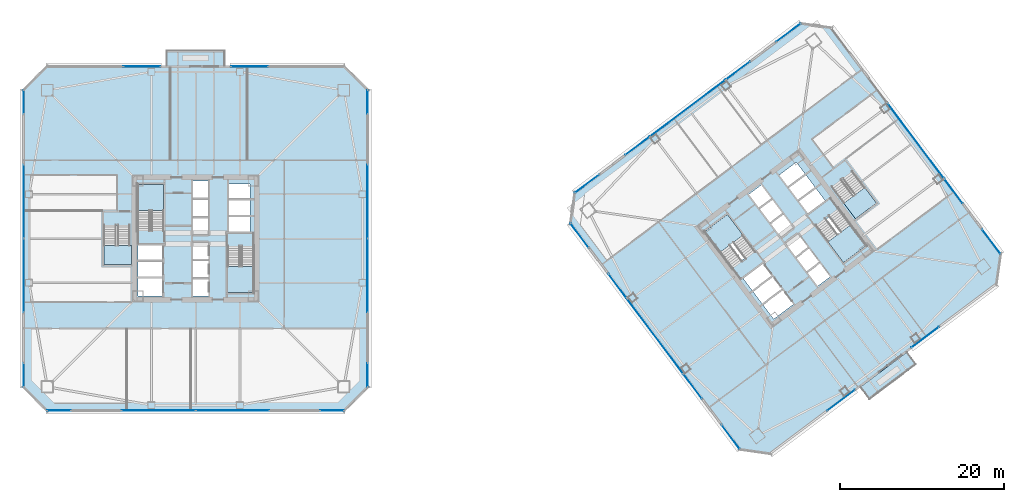
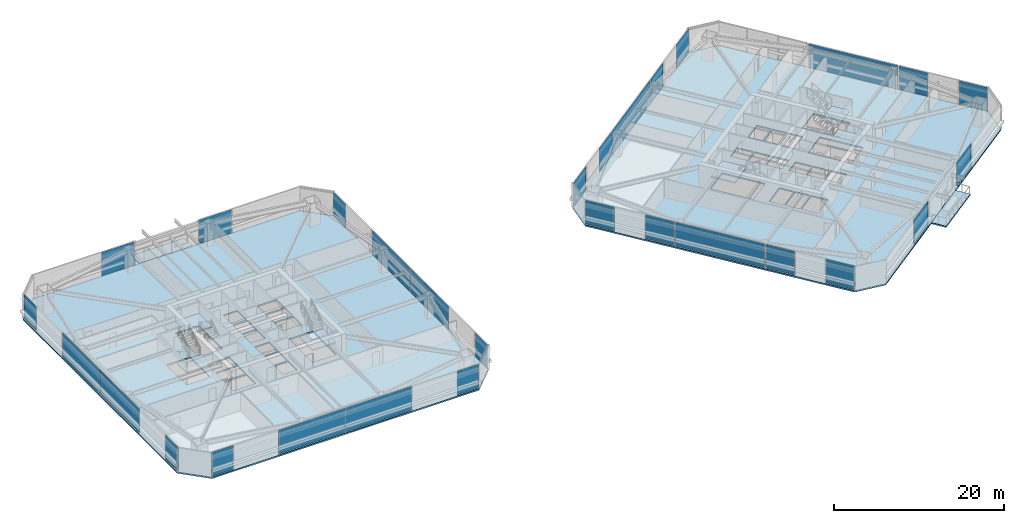
# One storey, part 36 of 48: 29 plates, 10 slabs, 32 elements without a shape of their own.
"""IFC4 building model written with IfcOpenShell, lengths in metres."""

import ifcopenshell
import ifcopenshell.guid

model = None  # the IFC model being written
_history = None  # IfcOwnerHistory: only IFC2X3 demands one
_inside = {}  # id of a spatial element -> (the spatial element, [elements in it])
_under = {}  # id of a project, library or spatial element -> (it, [spatial elements below it])
_declared = {}  # id of a project -> (the project, [libraries it declares])
_typed = {}  # id of a type object -> (the type object, [elements of that type])
_made_of = {}  # id of a material, layer set ... -> (it, [elements and type objects made of it])


def new_model(schema):
    """Start an empty IFC model of exactly this schema.

    Asked for "IFC4X3", IfcOpenShell would pick the latest addendum, in which some entities
    have other attributes; the version numbers below select the first issue.
    IFC2X3 requires an IfcOwnerHistory on every rooted entity: one is made here for all.
    """
    global model, _history
    if schema == "IFC4X3":
        model = ifcopenshell.file(schema_version=(4, 3, 0, 0))
    else:
        model = ifcopenshell.file(schema=schema)
    _inside.clear()
    _under.clear()
    _declared.clear()
    _typed.clear()
    _made_of.clear()
    _history = None
    if model.schema == "IFC2X3":
        org = make("IfcOrganization", Name="unknown")
        user = make(
            "IfcPersonAndOrganization",
            ThePerson=make("IfcPerson", FamilyName="unknown"),
            TheOrganization=org,
        )
        app = make(
            "IfcApplication",
            ApplicationDeveloper=org,
            Version="unknown",
            ApplicationFullName="unknown",
            ApplicationIdentifier="unknown",
        )
        _history = make(
            "IfcOwnerHistory",
            OwningUser=user,
            OwningApplication=app,
            ChangeAction="ADDED",
            CreationDate=0,
        )
    return model


def make(cls, **values):
    """One entity of the class cls with the attributes given. An attribute that is None is left unset."""
    return model.create_entity(
        cls, **{name: value for name, value in values.items() if value is not None}
    )


def rooted(cls, **values):
    """An entity with a GlobalId (a new one), such as an element, a storey or a relation."""
    return make(cls, GlobalId=ifcopenshell.guid.new(), OwnerHistory=_history, **values)


def si_unit(unit_type, name, prefix=None):
    """IfcSIUnit, for example si_unit("LENGTHUNIT", "METRE", prefix="MILLI")."""
    return make("IfcSIUnit", UnitType=unit_type, Prefix=prefix, Name=name)


def assignment(units):
    """IfcUnitAssignment: the units of a project."""
    return None if units is None else make("IfcUnitAssignment", Units=units)


def point(xyz):
    """IfcCartesianPoint."""
    return None if xyz is None else make("IfcCartesianPoint", Coordinates=xyz)


def direction(xyz):
    """IfcDirection."""
    return None if xyz is None else make("IfcDirection", DirectionRatios=xyz)


def frame(location, z_axis=None, x_axis=None):
    """IfcAxis2Placement3D, a coordinate frame: its origin and axes. An axis left out is left unset."""
    return make(
        "IfcAxis2Placement3D",
        Location=point(location),
        Axis=direction(z_axis),
        RefDirection=direction(x_axis),
    )


def frame_2d(location, x_axis=None):
    """IfcAxis2Placement2D, a coordinate frame in the plane: its origin and x axis."""
    return make(
        "IfcAxis2Placement2D", Location=point(location), RefDirection=direction(x_axis)
    )


def origin():
    """The frame at (0, 0, 0) with its axes left unset."""
    return frame((0.0, 0.0, 0.0))


def origin_2d():
    """The frame at (0, 0) in the plane with its x axis left unset."""
    return frame_2d((0.0, 0.0))


def place(relative_to, where):
    """IfcLocalPlacement: puts the frame where relative to a parent placement (None: the world)."""
    return make(
        "IfcLocalPlacement", PlacementRelTo=relative_to, RelativePlacement=where
    )


def context(
    kind, dimensions, precision=None, world=None, true_north=None, identifier=None
):
    """IfcGeometricRepresentationContext, for example the 3D "Model" context."""
    return make(
        "IfcGeometricRepresentationContext",
        ContextIdentifier=identifier,
        ContextType=kind,
        CoordinateSpaceDimension=dimensions,
        Precision=precision,
        WorldCoordinateSystem=world,
        TrueNorth=true_north,
    )


def subcontext(parent, identifier, kind, view, scale=None):
    """IfcGeometricRepresentationSubContext, for example "Body" below "Model"."""
    return make(
        "IfcGeometricRepresentationSubContext",
        ContextIdentifier=identifier,
        ContextType=kind,
        ParentContext=parent,
        TargetScale=scale,
        TargetView=view,
    )


def project(units=None, contexts=None):
    """IfcProject with its units and contexts."""
    return rooted(
        "IfcProject",
        Name="project",
        RepresentationContexts=contexts,
        UnitsInContext=assignment(units),
    )


def spatial(cls, under=None, at=None, **own):
    """A site, building, storey or space (cls), placed at a placement, below another one or the project."""
    s = rooted(cls, ObjectPlacement=at, **own)
    if under is not None:
        _under.setdefault(under.id(), (under, []))[1].append(s)
    return s


def polyline(points):
    """IfcPolyline through the points."""
    return make("IfcPolyline", Points=[point(p) for p in points])


def profile(cls, at=None, kind="AREA", **sizes):
    """A parametric profile (cls). Its sizes go by their IFC names, for example OverallWidth=200.0."""
    return make(cls, ProfileType=kind, Position=at, **sizes)


def rectangle(**sizes):
    """IfcRectangleProfileDef."""
    return profile("IfcRectangleProfileDef", **sizes)


def outline(outer, holes=None, kind="AREA"):
    """IfcArbitraryClosedProfileDef: a profile drawn as a closed curve; with holes, ...WithVoids."""
    if holes is None:
        return make("IfcArbitraryClosedProfileDef", ProfileType=kind, OuterCurve=outer)
    return make(
        "IfcArbitraryProfileDefWithVoids",
        ProfileType=kind,
        OuterCurve=outer,
        InnerCurves=holes,
    )


def extrude(swept, where, along, depth):
    """IfcExtrudedAreaSolid: the profile swept, set in the frame where, extruded along a direction by depth."""
    return make(
        "IfcExtrudedAreaSolid",
        SweptArea=swept,
        Position=where,
        ExtrudedDirection=direction(along),
        Depth=depth,
    )


def shape(context_of_items, identifier, shape_type, items):
    """IfcShapeRepresentation: the items that make up one representation, for example the "Body"."""
    return make(
        "IfcShapeRepresentation",
        ContextOfItems=context_of_items,
        RepresentationIdentifier=identifier,
        RepresentationType=shape_type,
        Items=items,
    )


def material(Name=None, Category=None):
    """IfcMaterial."""
    return make("IfcMaterial", Name=Name, Category=Category)


def layer(
    of_material, thickness, ventilated=None, Name=None, Category=None, Priority=None
):
    """IfcMaterialLayer: one layer of a wall or slab, of a material (None: an air gap)."""
    return make(
        "IfcMaterialLayer",
        Material=of_material,
        LayerThickness=thickness,
        IsVentilated=ventilated,
        Name=Name,
        Category=Category,
        Priority=Priority,
    )


def layer_set(layers, Name=None):
    """IfcMaterialLayerSet."""
    return make("IfcMaterialLayerSet", MaterialLayers=layers, LayerSetName=Name)


def made_of(thing, what):
    """Note that an element or type object is made of a material, layer set ...; save() writes the relation."""
    if what is not None:
        _made_of.setdefault(what.id(), (what, []))[1].append(thing)
    return thing


def type_object(cls, material=None, **own):
    """A type object (cls), such as IfcWallType, which elements share."""
    return made_of(rooted(cls, **own), material)


def element(
    cls,
    number,
    at=None,
    inside=None,
    cuts=None,
    type_object=None,
    material=None,
    context=None,
    identifier="Body",
    shape_type=None,
    held_by="IfcProductDefinitionShape",
    body=None,
    shapes=None,
    **own,
):
    """One element of the class cls, such as IfcWall. Its Tag is "e" and its number.

    at: its placement. inside: the storey or other place that contains it. cuts: it is an
    opening in that element (IfcRelVoidsElement). A single representation is given by context,
    identifier, shape_type and body (its items); several are given by shapes. held_by: the class
    of the entity that holds the representations. save() writes the other relations.
    """
    e = rooted(cls, Tag="e%d" % number, ObjectPlacement=at, **own)
    if body is not None:
        shapes = [shape(context, identifier, shape_type, body)]
    if shapes is not None:
        e.Representation = make(held_by, Representations=shapes)
    if inside is not None:
        _inside.setdefault(inside.id(), (inside, []))[1].append(e)
    if cuts is not None:
        rooted(
            "IfcRelVoidsElement", RelatingBuildingElement=cuts, RelatedOpeningElement=e
        )
    if type_object is not None:
        _typed.setdefault(type_object.id(), (type_object, []))[1].append(e)
    return made_of(e, material)


def aggregate(whole, parts):
    """IfcRelAggregates: a whole, such as a stair, and the parts it consists of."""
    return rooted("IfcRelAggregates", RelatingObject=whole, RelatedObjects=parts)


def save(model, path):
    """Write the relations noted so far, then the file.

    IfcRelAggregates (storeys below a building ...), IfcRelContainedInSpatialStructure (elements
    in a storey), IfcRelDefinesByType, IfcRelAssociatesMaterial and IfcRelDeclares: one each for
    every whole, place, type object, material and project.
    """
    for whole, parts in _under.values():
        aggregate(whole, parts)
    for where, things in _inside.values():
        rooted(
            "IfcRelContainedInSpatialStructure",
            RelatedElements=things,
            RelatingStructure=where,
        )
    for kind, things in _typed.values():
        rooted("IfcRelDefinesByType", RelatedObjects=things, RelatingType=kind)
    for what, things in _made_of.values():
        rooted("IfcRelAssociatesMaterial", RelatedObjects=things, RelatingMaterial=what)
    for by, libraries in _declared.values():
        rooted("IfcRelDeclares", RelatingContext=by, RelatedDefinitions=libraries)
    model.write(path)


model = new_model("IFC4")

# Units and contexts
model_context = context("Model", 3, precision=1e-05, world=origin(), true_north=direction((0.0, 1.0)))
body_context = subcontext(model_context, "Body", "Model", "MODEL_VIEW")
ifc_project = project(units=[si_unit("LENGTHUNIT", "METRE"), si_unit("AREAUNIT", "SQUARE_METRE"), si_unit("VOLUMEUNIT", "CUBIC_METRE"), si_unit("PLANEANGLEUNIT", "RADIAN"), si_unit("MASSUNIT", "GRAM", prefix="KILO")], contexts=[model_context])

# Site, building, storey
site_placement = place(None, origin())
site = spatial("IfcSite", under=ifc_project, at=site_placement, CompositionType="ELEMENT")
building_placement = place(site_placement, origin())
building = spatial("IfcBuilding", under=site, at=building_placement, Name="Tashvorn Skyway Center", CompositionType="ELEMENT")
storey_placement = place(building_placement, frame((0.0, 0.0, 77.85009765625)))
storey = spatial("IfcBuildingStorey", under=building, at=storey_placement, Name="L20", CompositionType="ELEMENT", Elevation=77.85009765625)

# Curtain wall, plate
ifc_material_1 = material(Name="Thermally broken bronze-anodized aluminium 6063-T6", Category="aluminium")
curtain_wall_type = type_object("IfcCurtainWallType", Name="CW-CW-Z2", PredefinedType="NOTDEFINED", material=ifc_material_1)
curtain_wall_1_placement = place(storey_placement, origin())
curtain_wall_1 = element("IfcCurtainWall", 1, at=curtain_wall_1_placement, inside=storey, type_object=curtain_wall_type, Name="Tower 1 L20 South Unitised Curtain Wall Glazing Group 1", PredefinedType="NOTDEFINED")
ifc_material_2 = material(Name="Low-E solar-control double insulating safety glass", Category="glass")
ifc_layer_1 = layer(ifc_material_2, 0.0439453125)
ifc_layer_set_1 = layer_set([ifc_layer_1], Name="Low-E solar-control double insulating safety glass")
plate_type = type_object("IfcPlateType", Name="CWP-CW-Z2", PredefinedType="CURTAIN_PANEL", material=ifc_layer_set_1)
plate_1_placement = place(storey_placement, frame((58.6650390625, 11.02001953125, 0.080078125), z_axis=(0.0, 0.0, 1.0), x_axis=(-1.0, 0.0, 0.0)))
plate_1 = element("IfcPlate", 2, at=plate_1_placement, type_object=plate_type, Name="CW-Z2 panel 1.1", PredefinedType="CURTAIN_PANEL", context=body_context, shape_type="SweptSolid", body=[
    extrude(rectangle(XDim=2.8701171875, YDim=0.0439453125, at=origin_2d()), origin(), (0.0, 0.0, 1.0), 3.389892578125),
])
aggregate(curtain_wall_1, [plate_1])

# Curtain wall, plates
curtain_wall_2_placement = place(storey_placement, origin())
curtain_wall_2 = element("IfcCurtainWall", 3, at=curtain_wall_2_placement, inside=storey, type_object=curtain_wall_type, Name="Tower 1 L20 South Unitised Curtain Wall Glazing Group 2", PredefinedType="NOTDEFINED")
plate_2_placement = place(storey_placement, frame((46.52490234375, 11.02001953125, 0.080078125), z_axis=(0.0, 0.0, 1.0), x_axis=(-1.0, 0.0, 0.0)))
plate_2 = element("IfcPlate", 4, at=plate_2_placement, type_object=plate_type, Name="CW-Z2 panel 1.1", PredefinedType="CURTAIN_PANEL", context=body_context, shape_type="SweptSolid", body=[
    extrude(rectangle(XDim=8.969970703125, YDim=0.0439453125, at=origin_2d()), origin(), (0.0, 0.0, 1.0), 3.389892578125),
])
plate_3_placement = place(storey_placement, frame((37.47509765625, 11.02001953125, 0.080078125), z_axis=(0.0, 0.0, 1.0), x_axis=(-1.0, 0.0, 0.0)))
plate_3 = element("IfcPlate", 5, at=plate_3_placement, type_object=plate_type, Name="CW-Z2 panel 2.1", PredefinedType="CURTAIN_PANEL", context=body_context, shape_type="SweptSolid", body=[
    extrude(rectangle(XDim=8.969970703125, YDim=0.0439453125, at=origin_2d()), origin(), (0.0, 0.0, 1.0), 3.389892578125),
])
aggregate(curtain_wall_2, [plate_2, plate_3])

# Curtain wall, plate
curtain_wall_3_placement = place(storey_placement, origin())
curtain_wall_3 = element("IfcCurtainWall", 6, at=curtain_wall_3_placement, inside=storey, type_object=curtain_wall_type, Name="Tower 1 L20 South Unitised Curtain Wall Glazing Group 3", PredefinedType="NOTDEFINED")
plate_4_placement = place(storey_placement, frame((25.3349609375, 11.02001953125, 0.080078125), z_axis=(0.0, 0.0, 1.0), x_axis=(-1.0, 0.0, 0.0)))
plate_4 = element("IfcPlate", 7, at=plate_4_placement, type_object=plate_type, Name="CW-Z2 panel 1.1", PredefinedType="CURTAIN_PANEL", context=body_context, shape_type="SweptSolid", body=[
    extrude(rectangle(XDim=2.8701171875, YDim=0.0439453125, at=origin_2d()), origin(), (0.0, 0.0, 1.0), 3.389892578125),
])
aggregate(curtain_wall_3, [plate_4])

curtain_wall_4_placement = place(storey_placement, origin())
curtain_wall_4 = element("IfcCurtainWall", 8, at=curtain_wall_4_placement, inside=storey, type_object=curtain_wall_type, Name="Tower 1 L20 West Unitised Curtain Wall Glazing Group 1", PredefinedType="NOTDEFINED")
plate_5_placement = place(storey_placement, frame((21.02001953125, 15.3349609375, 0.080078125), z_axis=(0.0, 0.0, 1.0), x_axis=(0.0, 1.0, 0.0)))
plate_5 = element("IfcPlate", 9, at=plate_5_placement, type_object=plate_type, Name="CW-Z2 panel 1.1", PredefinedType="CURTAIN_PANEL", context=body_context, shape_type="SweptSolid", body=[
    extrude(rectangle(XDim=2.8701171875, YDim=0.0439453125, at=origin_2d()), origin(), (0.0, 0.0, 1.0), 3.389892578125),
])
aggregate(curtain_wall_4, [plate_5])

# Curtain wall, plates
curtain_wall_5_placement = place(storey_placement, origin())
curtain_wall_5 = element("IfcCurtainWall", 10, at=curtain_wall_5_placement, inside=storey, type_object=curtain_wall_type, Name="Tower 1 L20 West Unitised Curtain Wall Glazing Group 2", PredefinedType="NOTDEFINED")
plate_6_placement = place(storey_placement, frame((21.02001953125, 27.47509765625, 0.080078125), z_axis=(0.0, 0.0, 1.0), x_axis=(0.0, 1.0, 0.0)))
plate_6 = element("IfcPlate", 11, at=plate_6_placement, type_object=plate_type, Name="CW-Z2 panel 1.1", PredefinedType="CURTAIN_PANEL", context=body_context, shape_type="SweptSolid", body=[
    extrude(rectangle(XDim=8.969970703125, YDim=0.0439453125, at=origin_2d()), origin(), (0.0, 0.0, 1.0), 3.389892578125),
])
plate_7_placement = place(storey_placement, frame((21.02001953125, 36.52490234375, 0.080078125), z_axis=(0.0, 0.0, 1.0), x_axis=(0.0, 1.0, 0.0)))
plate_7 = element("IfcPlate", 12, at=plate_7_placement, type_object=plate_type, Name="CW-Z2 panel 2.1", PredefinedType="CURTAIN_PANEL", context=body_context, shape_type="SweptSolid", body=[
    extrude(rectangle(XDim=8.969970703125, YDim=0.0439453125, at=origin_2d()), origin(), (0.0, 0.0, 1.0), 3.389892578125),
])
aggregate(curtain_wall_5, [plate_6, plate_7])

# Curtain wall, plate
curtain_wall_6_placement = place(storey_placement, origin())
curtain_wall_6 = element("IfcCurtainWall", 13, at=curtain_wall_6_placement, inside=storey, type_object=curtain_wall_type, Name="Tower 1 L20 West Unitised Curtain Wall Glazing Group 3", PredefinedType="NOTDEFINED")
plate_8_placement = place(storey_placement, frame((21.02001953125, 48.6650390625, 0.080078125), z_axis=(0.0, 0.0, 1.0), x_axis=(0.0, 1.0, 0.0)))
plate_8 = element("IfcPlate", 14, at=plate_8_placement, type_object=plate_type, Name="CW-Z2 panel 1.1", PredefinedType="CURTAIN_PANEL", context=body_context, shape_type="SweptSolid", body=[
    extrude(rectangle(XDim=2.8701171875, YDim=0.0439453125, at=origin_2d()), origin(), (0.0, 0.0, 1.0), 3.389892578125),
])
aggregate(curtain_wall_6, [plate_8])

curtain_wall_7_placement = place(storey_placement, origin())
curtain_wall_7 = element("IfcCurtainWall", 15, at=curtain_wall_7_placement, inside=storey, type_object=curtain_wall_type, Name="Tower 1 L20 North Curtain Wall L Glazing Group 1", PredefinedType="NOTDEFINED")
plate_9_placement = place(storey_placement, frame((35.428466796875, 52.97998046875, 0.080078125), z_axis=(0.0, 0.0, 1.0), x_axis=(1.0, 0.0, 0.0)))
plate_9 = element("IfcPlate", 16, at=plate_9_placement, type_object=plate_type, Name="CW-Z2 panel 1.1", PredefinedType="CURTAIN_PANEL", context=body_context, shape_type="SweptSolid", body=[
    extrude(rectangle(XDim=4.4833984375, YDim=0.0439453125, at=origin_2d()), origin(), (0.0, 0.0, 1.0), 3.389892578125),
])
aggregate(curtain_wall_7, [plate_9])

curtain_wall_8_placement = place(storey_placement, origin())
curtain_wall_8 = element("IfcCurtainWall", 17, at=curtain_wall_8_placement, inside=storey, type_object=curtain_wall_type, Name="Tower 1 L20 North Curtain Wall R Glazing Group 1", PredefinedType="NOTDEFINED")
plate_10_placement = place(storey_placement, frame((48.571533203125, 52.97998046875, 0.080078125), z_axis=(0.0, 0.0, 1.0), x_axis=(1.0, 0.0, 0.0)))
plate_10 = element("IfcPlate", 18, at=plate_10_placement, type_object=plate_type, Name="CW-Z2 panel 1.1", PredefinedType="CURTAIN_PANEL", context=body_context, shape_type="SweptSolid", body=[
    extrude(rectangle(XDim=4.4833984375, YDim=0.0439453125, at=origin_2d()), origin(), (0.0, 0.0, 1.0), 3.389892578125),
])
aggregate(curtain_wall_8, [plate_10])

curtain_wall_9_placement = place(storey_placement, origin())
curtain_wall_9 = element("IfcCurtainWall", 19, at=curtain_wall_9_placement, inside=storey, type_object=curtain_wall_type, Name="Tower 1 L20 East Unitised Curtain Wall Glazing Group 1", PredefinedType="NOTDEFINED")
plate_11_placement = place(storey_placement, frame((62.97998046875, 48.6650390625, 0.080078125), z_axis=(0.0, 0.0, 1.0), x_axis=(0.0, -1.0, 0.0)))
plate_11 = element("IfcPlate", 20, at=plate_11_placement, type_object=plate_type, Name="CW-Z2 panel 1.1", PredefinedType="CURTAIN_PANEL", context=body_context, shape_type="SweptSolid", body=[
    extrude(rectangle(XDim=2.8701171875, YDim=0.0439453125, at=origin_2d()), origin(), (0.0, 0.0, 1.0), 3.389892578125),
])
aggregate(curtain_wall_9, [plate_11])

# Curtain wall, plates
curtain_wall_10_placement = place(storey_placement, origin())
curtain_wall_10 = element("IfcCurtainWall", 21, at=curtain_wall_10_placement, inside=storey, type_object=curtain_wall_type, Name="Tower 1 L20 East Unitised Curtain Wall Glazing Group 2", PredefinedType="NOTDEFINED")
plate_12_placement = place(storey_placement, frame((62.97998046875, 36.52490234375, 0.080078125), z_axis=(0.0, 0.0, 1.0), x_axis=(0.0, -1.0, 0.0)))
plate_12 = element("IfcPlate", 22, at=plate_12_placement, type_object=plate_type, Name="CW-Z2 panel 1.1", PredefinedType="CURTAIN_PANEL", context=body_context, shape_type="SweptSolid", body=[
    extrude(rectangle(XDim=8.969970703125, YDim=0.0439453125, at=origin_2d()), origin(), (0.0, 0.0, 1.0), 3.389892578125),
])
plate_13_placement = place(storey_placement, frame((62.97998046875, 27.47509765625, 0.080078125), z_axis=(0.0, 0.0, 1.0), x_axis=(0.0, -1.0, 0.0)))
plate_13 = element("IfcPlate", 23, at=plate_13_placement, type_object=plate_type, Name="CW-Z2 panel 2.1", PredefinedType="CURTAIN_PANEL", context=body_context, shape_type="SweptSolid", body=[
    extrude(rectangle(XDim=8.969970703125, YDim=0.0439453125, at=origin_2d()), origin(), (0.0, 0.0, 1.0), 3.389892578125),
])
aggregate(curtain_wall_10, [plate_12, plate_13])

# Curtain wall, plate
curtain_wall_11_placement = place(storey_placement, origin())
curtain_wall_11 = element("IfcCurtainWall", 24, at=curtain_wall_11_placement, inside=storey, type_object=curtain_wall_type, Name="Tower 1 L20 East Unitised Curtain Wall Glazing Group 3", PredefinedType="NOTDEFINED")
plate_14_placement = place(storey_placement, frame((62.97998046875, 15.3349609375, 0.080078125), z_axis=(0.0, 0.0, 1.0), x_axis=(0.0, -1.0, 0.0)))
plate_14 = element("IfcPlate", 25, at=plate_14_placement, type_object=plate_type, Name="CW-Z2 panel 1.1", PredefinedType="CURTAIN_PANEL", context=body_context, shape_type="SweptSolid", body=[
    extrude(rectangle(XDim=2.8701171875, YDim=0.0439453125, at=origin_2d()), origin(), (0.0, 0.0, 1.0), 3.389892578125),
])
aggregate(curtain_wall_11, [plate_14])

curtain_wall_12_placement = place(storey_placement, origin())
curtain_wall_12 = element("IfcCurtainWall", 26, at=curtain_wall_12_placement, inside=storey, type_object=curtain_wall_type, Name="Tower 2 L20 South Curtain Wall L Glazing Group 1", PredefinedType="NOTDEFINED")
plate_15_placement = place(storey_placement, frame((131.0654296875, 19.948974609375, 0.080078125), z_axis=(0.0, 0.0, 1.0), x_axis=(-0.800002762832, -0.599996316206, 0.0)))
plate_15 = element("IfcPlate", 27, at=plate_15_placement, type_object=plate_type, Name="CW-Z2 panel 1.1", PredefinedType="CURTAIN_PANEL", context=body_context, shape_type="SweptSolid", body=[
    extrude(rectangle(XDim=4.183349609375, YDim=0.0439453125, at=origin_2d()), origin(), (0.0, 0.0, 1.0), 3.389892578125),
])
aggregate(curtain_wall_12, [plate_15])

curtain_wall_13_placement = place(storey_placement, origin())
curtain_wall_13 = element("IfcCurtainWall", 28, at=curtain_wall_13_placement, inside=storey, type_object=curtain_wall_type, Name="Tower 2 L20 South Curtain Wall R Glazing Group 1", PredefinedType="NOTDEFINED")
plate_16_placement = place(storey_placement, frame((120.790771484375, 12.242919921875, 0.080078125), z_axis=(0.0, 0.0, 1.0), x_axis=(-0.800002762832, -0.599996316206, 0.0)))
plate_16 = element("IfcPlate", 29, at=plate_16_placement, type_object=plate_type, Name="CW-Z2 panel 1.1", PredefinedType="CURTAIN_PANEL", context=body_context, shape_type="SweptSolid", body=[
    extrude(rectangle(XDim=4.183349609375, YDim=0.0439453125, at=origin_2d()), origin(), (0.0, 0.0, 1.0), 3.389892578125),
])
aggregate(curtain_wall_13, [plate_16])

curtain_wall_14_placement = place(storey_placement, origin())
curtain_wall_14 = element("IfcCurtainWall", 30, at=curtain_wall_14_placement, inside=storey, type_object=curtain_wall_type, Name="Tower 2 L20 West Unitised Curtain Wall Glazing Group 1", PredefinedType="NOTDEFINED")
plate_17_placement = place(storey_placement, frame((107.31201171875, 7.783935546875, 0.080078125), z_axis=(0.0, 0.0, 1.0), x_axis=(-0.600000000002, 0.799999999998, 0.0)))
plate_17 = element("IfcPlate", 31, at=plate_17_placement, type_object=plate_type, Name="CW-Z2 panel 1.1", PredefinedType="CURTAIN_PANEL", context=body_context, shape_type="SweptSolid", body=[
    extrude(rectangle(XDim=3.679931640625, YDim=0.0439453125, at=origin_2d()), origin(), (0.0, 0.0, 1.0), 3.389892578125),
])
aggregate(curtain_wall_14, [plate_17])

curtain_wall_15_placement = place(storey_placement, origin())
curtain_wall_15 = element("IfcCurtainWall", 32, at=curtain_wall_15_placement, inside=storey, type_object=curtain_wall_type, Name="Tower 2 L20 West Unitised Curtain Wall Glazing Group 2", PredefinedType="NOTDEFINED")
plate_18_placement = place(storey_placement, frame((102.7041015625, 13.927978515625, 0.080078125), z_axis=(0.0, 0.0, 1.0), x_axis=(-0.600000000002, 0.799999999998, 0.0)))
plate_18 = element("IfcPlate", 33, at=plate_18_placement, type_object=plate_type, Name="CW-Z2 panel 1.1", PredefinedType="CURTAIN_PANEL", context=body_context, shape_type="SweptSolid", body=[
    extrude(rectangle(XDim=3.679931640625, YDim=0.0439453125, at=origin_2d()), origin(), (0.0, 0.0, 1.0), 3.389892578125),
])
aggregate(curtain_wall_15, [plate_18])

curtain_wall_16_placement = place(storey_placement, origin())
curtain_wall_16 = element("IfcCurtainWall", 34, at=curtain_wall_16_placement, inside=storey, type_object=curtain_wall_type, Name="Tower 2 L20 West Unitised Curtain Wall Glazing Group 3", PredefinedType="NOTDEFINED")
plate_19_placement = place(storey_placement, frame((98.095947265625, 20.072021484375, 0.080078125), z_axis=(0.0, 0.0, 1.0), x_axis=(-0.600000000002, 0.799999999998, 0.0)))
plate_19 = element("IfcPlate", 35, at=plate_19_placement, type_object=plate_type, Name="CW-Z2 panel 1.1", PredefinedType="CURTAIN_PANEL", context=body_context, shape_type="SweptSolid", body=[
    extrude(rectangle(XDim=11.360107421875, YDim=0.0439453125, at=origin_2d()), origin(), (0.0, 0.0, 1.0), 3.389892578125),
])
aggregate(curtain_wall_16, [plate_19])

curtain_wall_17_placement = place(storey_placement, origin())
curtain_wall_17 = element("IfcCurtainWall", 36, at=curtain_wall_17_placement, inside=storey, type_object=curtain_wall_type, Name="Tower 2 L20 West Unitised Curtain Wall Glazing Group 4", PredefinedType="NOTDEFINED")
plate_20_placement = place(storey_placement, frame((93.488037109375, 26.216064453125, 0.080078125), z_axis=(0.0, 0.0, 1.0), x_axis=(-0.600000000002, 0.799999999998, 0.0)))
plate_20 = element("IfcPlate", 37, at=plate_20_placement, type_object=plate_type, Name="CW-Z2 panel 1.1", PredefinedType="CURTAIN_PANEL", context=body_context, shape_type="SweptSolid", body=[
    extrude(rectangle(XDim=3.679931640625, YDim=0.0439453125, at=origin_2d()), origin(), (0.0, 0.0, 1.0), 3.389892578125),
])
aggregate(curtain_wall_17, [plate_20])

curtain_wall_18_placement = place(storey_placement, origin())
curtain_wall_18 = element("IfcCurtainWall", 38, at=curtain_wall_18_placement, inside=storey, type_object=curtain_wall_type, Name="Tower 2 L20 West Unitised Curtain Wall Glazing Group 5", PredefinedType="NOTDEFINED")
plate_21_placement = place(storey_placement, frame((88.8798828125, 32.360107421875, 0.080078125), z_axis=(0.0, 0.0, 1.0), x_axis=(-0.600000000002, 0.799999999998, 0.0)))
plate_21 = element("IfcPlate", 39, at=plate_21_placement, type_object=plate_type, Name="CW-Z2 panel 1.1", PredefinedType="CURTAIN_PANEL", context=body_context, shape_type="SweptSolid", body=[
    extrude(rectangle(XDim=3.679931640625, YDim=0.0439453125, at=origin_2d()), origin(), (0.0, 0.0, 1.0), 3.389892578125),
])
aggregate(curtain_wall_18, [plate_21])

curtain_wall_19_placement = place(storey_placement, origin())
curtain_wall_19 = element("IfcCurtainWall", 40, at=curtain_wall_19_placement, inside=storey, type_object=curtain_wall_type, Name="Tower 2 L20 North Unitised Curtain Wall Glazing Group 1", PredefinedType="NOTDEFINED")
plate_22_placement = place(storey_placement, frame((89.783935546875, 38.68798828125, 0.080078125), z_axis=(0.0, 0.0, 1.0), x_axis=(0.799999999998, 0.600000000002, 0.0)))
plate_22 = element("IfcPlate", 41, at=plate_22_placement, type_object=plate_type, Name="CW-Z2 panel 1.1", PredefinedType="CURTAIN_PANEL", context=body_context, shape_type="SweptSolid", body=[
    extrude(rectangle(XDim=3.679931640625, YDim=0.0439453125, at=origin_2d()), origin(), (0.0, 0.0, 1.0), 3.389892578125),
])
aggregate(curtain_wall_19, [plate_22])

curtain_wall_20_placement = place(storey_placement, origin())
curtain_wall_20 = element("IfcCurtainWall", 42, at=curtain_wall_20_placement, inside=storey, type_object=curtain_wall_type, Name="Tower 2 L20 North Unitised Curtain Wall Glazing Group 2", PredefinedType="NOTDEFINED")
plate_23_placement = place(storey_placement, frame((95.927978515625, 43.2958984375, 0.080078125), z_axis=(0.0, 0.0, 1.0), x_axis=(0.799999999998, 0.600000000002, 0.0)))
plate_23 = element("IfcPlate", 43, at=plate_23_placement, type_object=plate_type, Name="CW-Z2 panel 1.1", PredefinedType="CURTAIN_PANEL", context=body_context, shape_type="SweptSolid", body=[
    extrude(rectangle(XDim=3.679931640625, YDim=0.0439453125, at=origin_2d()), origin(), (0.0, 0.0, 1.0), 3.389892578125),
])
aggregate(curtain_wall_20, [plate_23])

curtain_wall_21_placement = place(storey_placement, origin())
curtain_wall_21 = element("IfcCurtainWall", 44, at=curtain_wall_21_placement, inside=storey, type_object=curtain_wall_type, Name="Tower 2 L20 North Unitised Curtain Wall Glazing Group 3", PredefinedType="NOTDEFINED")
plate_24_placement = place(storey_placement, frame((102.072021484375, 47.904052734375, 0.080078125), z_axis=(0.0, 0.0, 1.0), x_axis=(0.799999999998, 0.600000000002, 0.0)))
plate_24 = element("IfcPlate", 45, at=plate_24_placement, type_object=plate_type, Name="CW-Z2 panel 1.1", PredefinedType="CURTAIN_PANEL", context=body_context, shape_type="SweptSolid", body=[
    extrude(rectangle(XDim=11.360107421875, YDim=0.0439453125, at=origin_2d()), origin(), (0.0, 0.0, 1.0), 3.389892578125),
])
aggregate(curtain_wall_21, [plate_24])

curtain_wall_22_placement = place(storey_placement, origin())
curtain_wall_22 = element("IfcCurtainWall", 46, at=curtain_wall_22_placement, inside=storey, type_object=curtain_wall_type, Name="Tower 2 L20 North Unitised Curtain Wall Glazing Group 4", PredefinedType="NOTDEFINED")
plate_25_placement = place(storey_placement, frame((108.216064453125, 52.511962890625, 0.080078125), z_axis=(0.0, 0.0, 1.0), x_axis=(0.799999999998, 0.600000000002, 0.0)))
plate_25 = element("IfcPlate", 47, at=plate_25_placement, type_object=plate_type, Name="CW-Z2 panel 1.1", PredefinedType="CURTAIN_PANEL", context=body_context, shape_type="SweptSolid", body=[
    extrude(rectangle(XDim=3.679931640625, YDim=0.0439453125, at=origin_2d()), origin(), (0.0, 0.0, 1.0), 3.389892578125),
])
aggregate(curtain_wall_22, [plate_25])

curtain_wall_23_placement = place(storey_placement, origin())
curtain_wall_23 = element("IfcCurtainWall", 48, at=curtain_wall_23_placement, inside=storey, type_object=curtain_wall_type, Name="Tower 2 L20 North Unitised Curtain Wall Glazing Group 5", PredefinedType="NOTDEFINED")
plate_26_placement = place(storey_placement, frame((114.360107421875, 57.1201171875, 0.080078125), z_axis=(0.0, 0.0, 1.0), x_axis=(0.799999999998, 0.600000000002, 0.0)))
plate_26 = element("IfcPlate", 49, at=plate_26_placement, type_object=plate_type, Name="CW-Z2 panel 1.1", PredefinedType="CURTAIN_PANEL", context=body_context, shape_type="SweptSolid", body=[
    extrude(rectangle(XDim=3.679931640625, YDim=0.0439453125, at=origin_2d()), origin(), (0.0, 0.0, 1.0), 3.389892578125),
])
aggregate(curtain_wall_23, [plate_26])

curtain_wall_24_placement = place(storey_placement, origin())
curtain_wall_24 = element("IfcCurtainWall", 50, at=curtain_wall_24_placement, inside=storey, type_object=curtain_wall_type, Name="Tower 2 L20 East Unitised Curtain Wall Glazing Group 3", PredefinedType="NOTDEFINED")
plate_27_placement = place(storey_placement, frame((129.904052734375, 43.927978515625, 0.080078125), z_axis=(0.0, 0.0, 1.0), x_axis=(0.600000000002, -0.799999999998, 0.0)))
plate_27 = element("IfcPlate", 51, at=plate_27_placement, type_object=plate_type, Name="CW-Z2 panel 1.1", PredefinedType="CURTAIN_PANEL", context=body_context, shape_type="SweptSolid", body=[
    extrude(rectangle(XDim=11.360107421875, YDim=0.0439453125, at=origin_2d()), origin(), (0.0, 0.0, 1.0), 3.389892578125),
])
aggregate(curtain_wall_24, [plate_27])

curtain_wall_25_placement = place(storey_placement, origin())
curtain_wall_25 = element("IfcCurtainWall", 52, at=curtain_wall_25_placement, inside=storey, type_object=curtain_wall_type, Name="Tower 2 L20 East Unitised Curtain Wall Glazing Group 4", PredefinedType="NOTDEFINED")
plate_28_placement = place(storey_placement, frame((134.511962890625, 37.783935546875, 0.080078125), z_axis=(0.0, 0.0, 1.0), x_axis=(0.600000000002, -0.799999999998, 0.0)))
plate_28 = element("IfcPlate", 53, at=plate_28_placement, type_object=plate_type, Name="CW-Z2 panel 1.1", PredefinedType="CURTAIN_PANEL", context=body_context, shape_type="SweptSolid", body=[
    extrude(rectangle(XDim=3.679931640625, YDim=0.0439453125, at=origin_2d()), origin(), (0.0, 0.0, 1.0), 3.389892578125),
])
aggregate(curtain_wall_25, [plate_28])

curtain_wall_26_placement = place(storey_placement, origin())
curtain_wall_26 = element("IfcCurtainWall", 54, at=curtain_wall_26_placement, inside=storey, type_object=curtain_wall_type, Name="Tower 2 L20 East Unitised Curtain Wall Glazing Group 5", PredefinedType="NOTDEFINED")
plate_29_placement = place(storey_placement, frame((139.1201171875, 31.639892578125, 0.080078125), z_axis=(0.0, 0.0, 1.0), x_axis=(0.600000000002, -0.799999999998, 0.0)))
plate_29 = element("IfcPlate", 55, at=plate_29_placement, type_object=plate_type, Name="CW-Z2 panel 1.1", PredefinedType="CURTAIN_PANEL", context=body_context, shape_type="SweptSolid", body=[
    extrude(rectangle(XDim=3.679931640625, YDim=0.0439453125, at=origin_2d()), origin(), (0.0, 0.0, 1.0), 3.389892578125),
])
aggregate(curtain_wall_26, [plate_29])

# Slabs
ifc_material_3 = material(Name="Concrete C40/50", Category="concrete")
ifc_layer_2 = layer(ifc_material_3, 0.199951171875)
ifc_layer_set_2 = layer_set([ifc_layer_2], Name="Concrete C40/50")
slab_type_1 = type_object("IfcSlabType", Name="SLAB-FLR-200", PredefinedType="FLOOR", material=ifc_layer_set_2)
slab_1_placement = place(storey_placement, frame((0.0, 0.0, -0.2001953125)))
element("IfcSlab", 56, at=slab_1_placement, inside=storey, type_object=slab_type_1, Name="Tower 1 L20 Composite Floor Slab", PredefinedType="FLOOR", context=body_context, shape_type="SweptSolid", body=[
    extrude(outline(polyline([(23.89990234375, 10.89990234375), (60.10009765625, 10.89990234375), (63.10009765625, 13.89990234375), (63.10009765625, 50.10009765625), (60.10009765625, 53.10009765625), (23.89990234375, 53.10009765625), (20.89990234375, 50.10009765625), (20.89990234375, 13.89990234375), (23.89990234375, 10.89990234375)]), holes=[polyline([(38.10009765625, 33.080078125), (38.10009765625, 38.60009765625), (34.89990234375, 38.60009765625), (34.89990234375, 33.080078125), (38.10009765625, 33.080078125)]), polyline([(45.89990234375, 30.919921875), (45.89990234375, 25.39990234375), (49.10009765625, 25.39990234375), (49.10009765625, 30.919921875), (45.89990234375, 30.919921875)]), polyline([(30.800048828125, 33.52001953125), (30.800048828125, 28.800048828125), (34.0, 28.800048828125), (34.0, 33.52001953125), (30.800048828125, 33.52001953125)]), polyline([(34.949951171875, 29.35009765625), (37.949951171875, 29.35009765625), (37.949951171875, 31.199951171875), (34.949951171875, 31.199951171875), (34.949951171875, 29.35009765625)]), polyline([(34.949951171875, 27.35009765625), (37.949951171875, 27.35009765625), (37.949951171875, 29.199951171875), (34.949951171875, 29.199951171875), (34.949951171875, 27.35009765625)]), polyline([(34.949951171875, 25.0), (37.949951171875, 25.0), (37.949951171875, 27.14990234375), (34.949951171875, 27.14990234375), (34.949951171875, 25.0)]), polyline([(41.64990234375, 25.0), (43.550048828125, 25.0), (43.550048828125, 27.050048828125), (41.64990234375, 27.050048828125), (41.64990234375, 25.0)]), polyline([(41.64990234375, 27.25), (43.550048828125, 27.25), (43.550048828125, 29.300048828125), (41.64990234375, 29.300048828125), (41.64990234375, 27.25)]), polyline([(41.64990234375, 29.5), (43.550048828125, 29.5), (43.550048828125, 31.550048828125), (41.64990234375, 31.550048828125), (41.64990234375, 29.5)]), polyline([(41.64990234375, 32.449951171875), (43.550048828125, 32.449951171875), (43.550048828125, 34.5), (41.64990234375, 34.5), (41.64990234375, 32.449951171875)]), polyline([(41.64990234375, 34.699951171875), (43.550048828125, 34.699951171875), (43.550048828125, 36.75), (41.64990234375, 36.75), (41.64990234375, 34.699951171875)]), polyline([(41.64990234375, 36.949951171875), (43.550048828125, 36.949951171875), (43.550048828125, 39.0), (41.64990234375, 39.0), (41.64990234375, 36.949951171875)]), polyline([(46.050048828125, 32.800048828125), (48.64990234375, 32.800048828125), (48.64990234375, 34.64990234375), (46.050048828125, 34.64990234375), (46.050048828125, 32.800048828125)]), polyline([(46.050048828125, 34.85009765625), (48.64990234375, 34.85009765625), (48.64990234375, 36.699951171875), (46.050048828125, 36.699951171875), (46.050048828125, 34.85009765625)]), polyline([(46.050048828125, 36.89990234375), (48.64990234375, 36.89990234375), (48.64990234375, 38.64990234375), (46.050048828125, 38.64990234375), (46.050048828125, 36.89990234375)])]), origin(), (0.0, 0.0, 1.0), 0.2001953125),
])
slab_2_placement = place(storey_placement, frame((0.0, 0.0, -0.2001953125)))
element("IfcSlab", 57, at=slab_2_placement, inside=storey, type_object=slab_type_1, Name="Tower 2 L20 Composite Floor Slab", PredefinedType="FLOOR", context=body_context, shape_type="SweptSolid", body=[
    extrude(outline(polyline([(112.239990234375, 5.679931640625), (139.760009765625, 26.320068359375), (140.320068359375, 30.239990234375), (119.679931640625, 57.760009765625), (115.760009765625, 58.320068359375), (88.239990234375, 37.679931640625), (87.679931640625, 33.760009765625), (108.320068359375, 6.239990234375), (112.239990234375, 5.679931640625)]), holes=[polyline([(110.23193359375, 30.52392578125), (106.919921875, 34.93994140625), (104.135986328125, 32.85205078125), (107.447998046875, 28.43603515625), (110.23193359375, 30.52392578125)]), polyline([(117.76806640625, 33.47607421875), (121.080078125, 29.06005859375), (123.864013671875, 31.14794921875), (120.552001953125, 35.56396484375), (117.76806640625, 33.47607421875)]), polyline([(119.7119140625, 38.18408203125), (122.5439453125, 34.407958984375), (125.10400390625, 36.327880859375), (122.27197265625, 40.10400390625), (119.7119140625, 38.18408203125)]), polyline([(109.949951171875, 25.64990234375), (112.35009765625, 27.449951171875), (111.239990234375, 28.929931640625), (108.840087890625, 27.1298828125), (109.949951171875, 25.64990234375)]), polyline([(111.14990234375, 24.050048828125), (113.550048828125, 25.85009765625), (112.43994140625, 27.330078125), (110.0400390625, 25.530029296875), (111.14990234375, 24.050048828125)]), polyline([(112.56005859375, 22.169921875), (114.9599609375, 23.969970703125), (113.669921875, 25.68994140625), (111.27001953125, 23.889892578125), (112.56005859375, 22.169921875)]), polyline([(117.919921875, 26.18994140625), (119.43994140625, 27.330078125), (118.2099609375, 28.969970703125), (116.68994140625, 27.830078125), (117.919921875, 26.18994140625)]), polyline([(116.570068359375, 27.989990234375), (118.090087890625, 29.1298828125), (116.860107421875, 30.77001953125), (115.340087890625, 29.6298828125), (116.570068359375, 27.989990234375)]), polyline([(115.219970703125, 29.7900390625), (116.739990234375, 30.929931640625), (115.510009765625, 32.570068359375), (113.989990234375, 31.429931640625), (115.219970703125, 29.7900390625)]), polyline([(113.449951171875, 32.14990234375), (114.969970703125, 33.2900390625), (113.739990234375, 34.929931640625), (112.219970703125, 33.7900390625), (113.449951171875, 32.14990234375)]), polyline([(112.10009765625, 33.949951171875), (113.6201171875, 35.090087890625), (112.389892578125, 36.72998046875), (110.8701171875, 35.590087890625), (112.10009765625, 33.949951171875)]), polyline([(110.75, 35.75), (112.27001953125, 36.889892578125), (111.0400390625, 38.530029296875), (109.52001953125, 37.389892578125), (110.75, 35.75)]), polyline([(116.760009765625, 35.070068359375), (118.840087890625, 36.6298828125), (117.72998046875, 38.110107421875), (115.64990234375, 36.550048828125), (116.760009765625, 35.070068359375)]), polyline([(115.530029296875, 36.7099609375), (117.610107421875, 38.27001953125), (116.5, 39.75), (114.419921875, 38.18994140625), (115.530029296875, 36.7099609375)]), polyline([(114.300048828125, 38.35009765625), (116.3798828125, 39.909912109375), (115.330078125, 41.31005859375), (113.25, 39.75), (114.300048828125, 38.35009765625)])]), origin(), (0.0, 0.0, 1.0), 0.2001953125),
])

# Stair, slab
stair_type = type_object("IfcStairType", Name="STAIR-CORE-1500", PredefinedType="HALF_TURN_STAIR", material=ifc_material_3)
stair_1_placement = place(storey_placement, origin())
stair_1 = element("IfcStair", 58, at=stair_1_placement, inside=storey, type_object=stair_type, Name="L20 Tower 1 Exit Stair 1", PredefinedType="HALF_TURN_STAIR")
ifc_layer_3 = layer(ifc_material_3, 0.199951171875)
ifc_layer_set_3 = layer_set([ifc_layer_3], Name="Concrete C40/50")
slab_type_2 = type_object("IfcSlabType", Name="SLAB-LAND-200", PredefinedType="LANDING", material=ifc_layer_set_3)
slab_3_placement = place(storey_placement, frame((0.0, 0.0, 1.574951171875)))
slab_3 = element("IfcSlab", 59, at=slab_3_placement, type_object=slab_type_2, Name="ST-T1-1 landing 1", PredefinedType="LANDING", context=body_context, shape_type="SweptSolid", body=[
    extrude(outline(polyline([(38.10009765625, 35.43994140625), (38.10009765625, 38.60009765625), (34.89990234375, 38.60009765625), (34.89990234375, 35.43994140625), (38.10009765625, 35.43994140625)])), origin(), (0.0, 0.0, 1.0), 0.199951171875),
])
aggregate(stair_1, [slab_3])

stair_2_placement = place(storey_placement, origin())
stair_2 = element("IfcStair", 60, at=stair_2_placement, inside=storey, type_object=stair_type, Name="L20 Tower 1 Exit Stair 2", PredefinedType="HALF_TURN_STAIR")
slab_4_placement = place(storey_placement, frame((0.0, 0.0, 1.574951171875)))
slab_4 = element("IfcSlab", 61, at=slab_4_placement, type_object=slab_type_2, Name="ST-T1-2 landing 1", PredefinedType="LANDING", context=body_context, shape_type="SweptSolid", body=[
    extrude(outline(polyline([(45.89990234375, 28.56005859375), (45.89990234375, 25.39990234375), (49.10009765625, 25.39990234375), (49.10009765625, 28.56005859375), (45.89990234375, 28.56005859375)])), origin(), (0.0, 0.0, 1.0), 0.199951171875),
])
aggregate(stair_2, [slab_4])

stair_3_placement = place(storey_placement, origin())
stair_3 = element("IfcStair", 62, at=stair_3_placement, inside=storey, type_object=stair_type, Name="L20 Tower 2 Exit Stair 1", PredefinedType="HALF_TURN_STAIR")
slab_5_placement = place(storey_placement, frame((0.0, 0.0, 1.574951171875)))
slab_5 = element("IfcSlab", 63, at=slab_5_placement, type_object=slab_type_2, Name="ST-T2-1 landing 1", PredefinedType="LANDING", context=body_context, shape_type="SweptSolid", body=[
    extrude(outline(polyline([(108.82080078125, 32.405517578125), (106.919921875, 34.93994140625), (104.135986328125, 32.85205078125), (106.036865234375, 30.317626953125), (108.82080078125, 32.405517578125)])), origin(), (0.0, 0.0, 1.0), 0.199951171875),
])
aggregate(stair_3, [slab_5])

stair_4_placement = place(storey_placement, origin())
stair_4 = element("IfcStair", 64, at=stair_4_placement, inside=storey, type_object=stair_type, Name="L20 Tower 2 Exit Stair 2", PredefinedType="HALF_TURN_STAIR")
slab_6_placement = place(storey_placement, frame((0.0, 0.0, 1.574951171875)))
slab_6 = element("IfcSlab", 65, at=slab_6_placement, type_object=slab_type_2, Name="ST-T2-2 landing 1", PredefinedType="LANDING", context=body_context, shape_type="SweptSolid", body=[
    extrude(outline(polyline([(119.17919921875, 31.594482421875), (121.080078125, 29.06005859375), (123.864013671875, 31.14794921875), (121.963134765625, 33.682373046875), (119.17919921875, 31.594482421875)])), origin(), (0.0, 0.0, 1.0), 0.199951171875),
])
aggregate(stair_4, [slab_6])

stair_5_placement = place(storey_placement, origin())
stair_5 = element("IfcStair", 66, at=stair_5_placement, inside=storey, type_object=stair_type, Name="L20 Tower 1 Exit Stair 3", PredefinedType="HALF_TURN_STAIR")
slab_7_placement = place(storey_placement, frame((0.0, 0.0, 1.574951171875)))
slab_7 = element("IfcSlab", 67, at=slab_7_placement, type_object=slab_type_2, Name="ST-T1-3 landing 1", PredefinedType="LANDING", context=body_context, shape_type="SweptSolid", body=[
    extrude(outline(polyline([(30.800048828125, 31.159912109375), (30.800048828125, 28.800048828125), (34.199951171875, 28.800048828125), (34.199951171875, 31.159912109375), (30.800048828125, 31.159912109375)])), origin(), (0.0, 0.0, 1.0), 0.199951171875),
])
aggregate(stair_5, [slab_7])

stair_6_placement = place(storey_placement, origin())
stair_6 = element("IfcStair", 68, at=stair_6_placement, inside=storey, type_object=stair_type, Name="L20 Tower 2 Exit Stair 3", PredefinedType="HALF_TURN_STAIR")
slab_8_placement = place(storey_placement, frame((0.0, 0.0, 1.574951171875)))
slab_8 = element("IfcSlab", 69, at=slab_8_placement, type_object=slab_type_2, Name="ST-T2-3 landing 1", PredefinedType="LANDING", context=body_context, shape_type="SweptSolid", body=[
    extrude(outline(polyline([(121.123291015625, 36.302490234375), (122.5439453125, 34.407958984375), (125.10400390625, 36.327880859375), (123.68310546875, 38.222412109375), (121.123291015625, 36.302490234375)])), origin(), (0.0, 0.0, 1.0), 0.199951171875),
])
aggregate(stair_6, [slab_8])

# Slabs
ifc_layer_4 = layer(ifc_material_3, 0.179931640625)
ifc_layer_set_4 = layer_set([ifc_layer_4], Name="Concrete C40/50")
slab_type_3 = type_object("IfcSlabType", Name="SLAB-TERR-200", PredefinedType="FLOOR", material=ifc_layer_set_4)
slab_9_placement = place(storey_placement, frame((0.0, 0.0, -0.2001953125)))
element("IfcSlab", 70, at=slab_9_placement, inside=storey, type_object=slab_type_3, Name="Tower 1 L20 Spiral Planted Terrace Slab", PredefinedType="FLOOR", context=body_context, shape_type="SweptSolid", body=[
    extrude(outline(polyline([(38.39990234375, 53.090087890625), (45.60009765625, 53.090087890625), (45.60009765625, 55.0), (38.39990234375, 55.0), (38.39990234375, 53.090087890625)])), origin(), (0.0, 0.0, 1.0), 0.2001953125),
])
slab_10_placement = place(storey_placement, frame((0.0, 0.0, -0.2001953125)))
element("IfcSlab", 71, at=slab_10_placement, inside=storey, type_object=slab_type_3, Name="Tower 2 L20 Spiral Planted Terrace Slab", PredefinedType="FLOOR", context=body_context, shape_type="SweptSolid", body=[
    extrude(outline(polyline([(124.260009765625, 12.320068359375), (130.02001953125, 16.639892578125), (128.8740234375, 18.16796875), (123.114013671875, 13.847900390625), (124.260009765625, 12.320068359375)])), origin(), (0.0, 0.0, 1.0), 0.2001953125),
])

save(model, "model.ifc")
